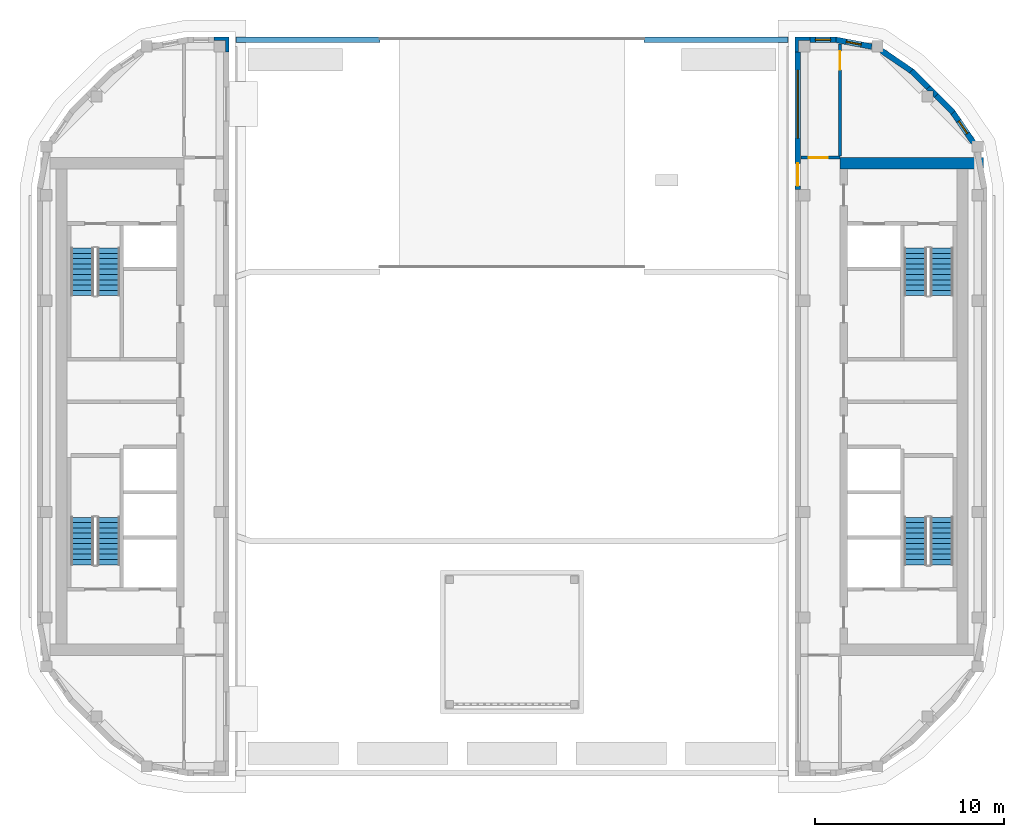
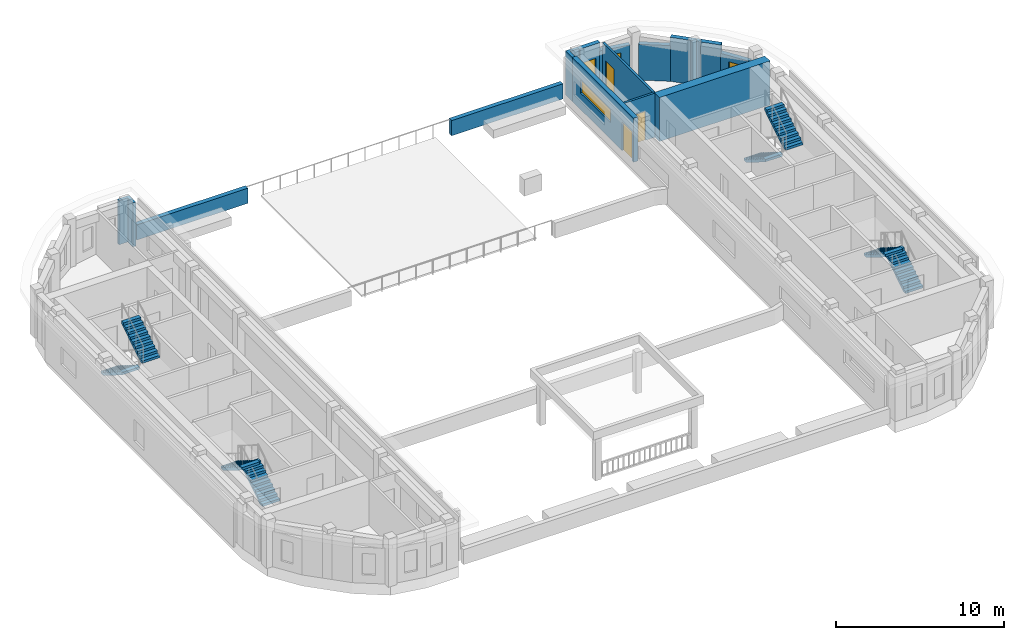
# One storey, part 5 of 14: 15 walls, 8 stair flights, 4 windows, 3 doors, 7 openings, 4 elements without a shape of their own.
"""IFC4 building model written with IfcOpenShell, lengths in metres."""

from ifc_helpers import new_model, si_unit, direction, frame, frame_2d, origin, place, context, subcontext, project, spatial, polyline, rectangle, outline, extrude, material, layer, layer_set, type_object, element, fill, aggregate, save


model = new_model("IFC4")

# Units and contexts
model_context = context("Model", 3, precision=1e-05, world=origin(), true_north=direction((0.0, 1.0)))
body_context = subcontext(model_context, "Body", "Model", "MODEL_VIEW")
ifc_project = project(units=[si_unit("LENGTHUNIT", "METRE"), si_unit("AREAUNIT", "SQUARE_METRE"), si_unit("VOLUMEUNIT", "CUBIC_METRE"), si_unit("PLANEANGLEUNIT", "RADIAN"), si_unit("MASSUNIT", "GRAM", prefix="KILO")], contexts=[model_context])

# Site, building, storey
site_placement = place(None, origin())
site = spatial("IfcSite", under=ifc_project, at=site_placement, CompositionType="ELEMENT")
building_placement = place(site_placement, origin())
building = spatial("IfcBuilding", under=site, at=building_placement, Name="Kiln Ring Residences", CompositionType="ELEMENT")
storey_placement = place(building_placement, frame((0.0, 0.0, 299.89990234375)))
storey = spatial("IfcBuildingStorey", under=building, at=storey_placement, Name="L77 Crown", CompositionType="ELEMENT", Elevation=299.89990234375)

# Wall
ifc_material_1 = material(Name="Concrete C60/75", Category="concrete")
ifc_layer_1 = layer(ifc_material_1, 0.60009765625)
ifc_layer_set_1 = layer_set([ifc_layer_1], Name="CORE-WALL-RC600")
wall_type_1 = type_object("IfcWallType", Name="CORE-WALL-RC600", PredefinedType="SHEAR", material=ifc_layer_set_1)
wall_1_placement = place(storey_placement, frame((17.39990234375, 12.89990234375, 0.0), z_axis=(0.0, 0.0, 1.0), x_axis=(1.0, 0.0, 0.0)))
element("IfcWall", 1, at=wall_1_placement, inside=storey, type_object=wall_type_1, Name="Core wall east L77 Crown 4", PredefinedType="SHEAR", context=body_context, shape_type="SweptSolid", body=[
    extrude(rectangle(XDim=7.60009765625, YDim=0.60009765625, at=frame_2d((3.800048828125, 0.0))), origin(), (0.0, 0.0, 1.0), 3.2001953125),
])

# Wall, openings, door, window
ifc_material_2 = material(Name="Brick masonry, dark clay brick", Category="masonry")
ifc_layer_2 = layer(ifc_material_2, 0.300048828125)
ifc_layer_set_2 = layer_set([ifc_layer_2], Name="EW-300 BRICK WALL")
wall_type_2 = type_object("IfcWallType", Name="EW-300 BRICK WALL", PredefinedType="SOLIDWALL", material=ifc_layer_set_2)
wall_2_placement = place(storey_placement, frame((15.14990234375, 18.800048828125, 0.0), z_axis=(0.0, 0.0, 1.0), x_axis=(0.0, -1.0, 0.0)))
wall_2 = element("IfcWall", 2, at=wall_2_placement, inside=storey, type_object=wall_type_2, Name="Facade wall L77 Crown 23", PredefinedType="SOLIDWALL", context=body_context, shape_type="SweptSolid", body=[
    extrude(rectangle(XDim=7.300048828125, YDim=0.300048828125, at=frame_2d((3.64990234375, 0.0))), origin(), (0.0, 0.0, 1.0), 3.2001953125),
])
opening_1_placement = place(wall_2_placement, frame((5.89990234375, 0.0, 0.0)))
opening_1 = element("IfcOpeningElement", 3, at=opening_1_placement, cuts=wall_2, Name="Opening RD-E", PredefinedType="OPENING", context=body_context, shape_type="SweptSolid", body=[
    extrude(rectangle(XDim=1.199951171875, YDim=2.10009765625, at=frame_2d((0.60009765625, 1.050048828125))), frame((0.0, 0.159912109375, 0.0), z_axis=(0.0, -1.0, 0.0), x_axis=(1.0, 0.0, 0.0)), (0.0, 0.0, 1.0), 0.320068359375),
])
opening_2_placement = place(wall_2_placement, frame((0.96240234375, 0.0, 1.199951171875)))
opening_2 = element("IfcOpeningElement", 4, at=opening_2_placement, cuts=wall_2, Name="Opening W4", PredefinedType="OPENING", context=body_context, shape_type="SweptSolid", body=[
    extrude(rectangle(XDim=3.60009765625, YDim=0.949951171875, at=frame_2d((1.800048828125, 0.47509765625))), frame((0.0, 0.159912109375, 0.0), z_axis=(0.0, -1.0, 0.0), x_axis=(1.0, 0.0, 0.0)), (0.0, 0.0, 1.0), 0.320068359375),
])
ifc_material_3 = material(Name="Steel door leaf", Category="steel")
door_type_1 = type_object("IfcDoorType", Name="ROOF ACCESS DOOR 1200", OperationType="SINGLE_SWING_LEFT", PredefinedType="DOOR", material=ifc_material_3)
door_1_placement = place(opening_1_placement, origin())
door_1 = element("IfcDoor", 5, at=door_1_placement, inside=storey, type_object=door_type_1, Name="Roof door east peak", OperationType="SINGLE_SWING_LEFT", OverallHeight=2.10009765625, OverallWidth=1.199951171875, PredefinedType="DOOR", context=body_context, shape_type="SweptSolid", body=[
    extrude(rectangle(XDim=1.199951171875, YDim=2.10009765625, at=frame_2d((0.60009765625, 1.050048828125))), frame((0.0, 0.02490234375, 0.0), z_axis=(0.0, -1.0, 0.0), x_axis=(1.0, 0.0, 0.0)), (0.0, 0.0, 1.0), 0.050048828125),
])
fill(opening_1, door_1)
ifc_material_4 = material(Name="Aluminium frame with double glazing", Category="aluminium")
window_type_1 = type_object("IfcWindowType", Name="WINDOW 3600 x 950", PartitioningType="SINGLE_PANEL", PredefinedType="WINDOW", material=ifc_material_4)
window_1_placement = place(opening_2_placement, origin())
window_1 = element("IfcWindow", 6, at=window_1_placement, inside=storey, type_object=window_type_1, Name="Window L77 Crown 11", OverallHeight=0.949951171875, OverallWidth=3.60009765625, PartitioningType="SINGLE_PANEL", PredefinedType="WINDOW", context=body_context, shape_type="SweptSolid", body=[
    extrude(rectangle(XDim=3.60009765625, YDim=0.949951171875, at=frame_2d((1.800048828125, 0.47509765625))), frame((0.0, 0.030029296875, 0.0), z_axis=(0.0, -1.0, 0.0), x_axis=(1.0, 0.0, 0.0)), (0.0, 0.0, 1.0), 0.06005859375),
])
fill(opening_2, window_1)

# Wall, opening, window
wall_3_placement = place(storey_placement, frame((24.4736328125, 14.001708984375, 0.0), z_axis=(0.0, 0.0, 1.0), x_axis=(-0.562025435703, 0.827119948752, 0.0)))
wall_3 = element("IfcWall", 7, at=wall_3_placement, inside=storey, type_object=wall_type_2, Name="Facade wall L77 Crown 39", PredefinedType="SOLIDWALL", context=body_context, shape_type="SweptSolid", body=[
    extrude(rectangle(XDim=1.94775390625, YDim=0.300048828125, at=frame_2d((0.973876953125, 0.0))), origin(), (0.0, 0.0, 1.0), 2.60009765625),
])
opening_3_placement = place(wall_3_placement, frame((0.573974609375, 0.0, 0.60009765625)))
opening_3 = element("IfcOpeningElement", 8, at=opening_3_placement, cuts=wall_3, Name="Opening W5", PredefinedType="OPENING", context=body_context, shape_type="SweptSolid", body=[
    extrude(rectangle(XDim=0.800048828125, YDim=1.550048828125, at=frame_2d((0.39990234375, 0.77490234375))), frame((0.0, 0.159912109375, 0.0), z_axis=(0.0, -1.0, 0.0), x_axis=(1.0, 0.0, 0.0)), (0.0, 0.0, 1.0), 0.320068359375),
])
ifc_material_5 = material(Name="Aluminium frame with double glazing", Category="aluminium")
window_type_2 = type_object("IfcWindowType", Name="WINDOW 800 x 1550", PartitioningType="SINGLE_PANEL", PredefinedType="WINDOW", material=ifc_material_5)
window_2_placement = place(opening_3_placement, origin())
window_2 = element("IfcWindow", 9, at=window_2_placement, inside=storey, type_object=window_type_2, Name="Window L77 Crown 17", OverallHeight=1.550048828125, OverallWidth=0.800048828125, PartitioningType="SINGLE_PANEL", PredefinedType="WINDOW", context=body_context, shape_type="SweptSolid", body=[
    extrude(rectangle(XDim=0.800048828125, YDim=1.550048828125, at=frame_2d((0.39990234375, 0.77490234375))), frame((0.0, 0.030029296875, 0.0), z_axis=(0.0, -1.0, 0.0), x_axis=(1.0, 0.0, 0.0)), (0.0, 0.0, 1.0), 0.06005859375),
])
fill(opening_3, window_2)

# Walls
for number, where, z_axis, x_axis, name in (
    (10, (23.39697265625, 15.591064453125, 0.0), (0.0, 0.0, 1.0), (-0.707203678312, 0.707009870781, 0.0), "Facade wall L77 Crown 40"),
    (11, (22.081787109375, 16.906005859375, 0.0), (0.0, 0.0, 1.0), (-0.707106781187, 0.707106781187, 0.0), "Facade wall L77 Crown 41"),
):
    element("IfcWall", number, at=place(storey_placement, frame(where, z_axis=z_axis, x_axis=x_axis)), inside=storey, type_object=wall_type_2, Name=name, PredefinedType="SOLIDWALL", context=body_context, shape_type="SweptSolid", body=[
        extrude(rectangle(XDim=1.259765625, YDim=0.300048828125, at=frame_2d((0.6298828125, 0.0))), origin(), (0.0, 0.0, 1.0), 3.2001953125),
    ])
wall_4_placement = place(storey_placement, frame((21.212646484375, 17.77880859375, 0.0), z_axis=(0.0, 0.0, 1.0), x_axis=(-0.827022075481, 0.562169446579, 0.0)))
element("IfcWall", 12, at=wall_4_placement, inside=storey, type_object=wall_type_2, Name="Facade wall L77 Crown 42", PredefinedType="SOLIDWALL", context=body_context, shape_type="SweptSolid", body=[
    extrude(rectangle(XDim=1.94775390625, YDim=0.300048828125, at=frame_2d((0.973876953125, 0.0))), origin(), (0.0, 0.0, 1.0), 2.60009765625),
])

# Wall, opening, window
wall_5_placement = place(storey_placement, frame((19.085205078125, 19.087646484375, 0.0), z_axis=(0.0, 0.0, 1.0), x_axis=(-0.982286967073, 0.187382801553, 0.0)))
wall_5 = element("IfcWall", 13, at=wall_5_placement, inside=storey, type_object=wall_type_2, Name="Facade wall L77 Crown 43", PredefinedType="SOLIDWALL", context=body_context, shape_type="SweptSolid", body=[
    extrude(rectangle(XDim=1.94775390625, YDim=0.300048828125, at=frame_2d((0.973876953125, 0.0))), origin(), (0.0, 0.0, 1.0), 2.60009765625),
])
opening_4_placement = place(wall_5_placement, frame((0.573974609375, 0.0, 0.60009765625)))
opening_4 = element("IfcOpeningElement", 14, at=opening_4_placement, cuts=wall_5, Name="Opening W5", PredefinedType="OPENING", context=body_context, shape_type="SweptSolid", body=[
    extrude(rectangle(XDim=0.800048828125, YDim=1.550048828125, at=frame_2d((0.39990234375, 0.77490234375))), frame((0.0, 0.159912109375, 0.0), z_axis=(0.0, -1.0, 0.0), x_axis=(1.0, 0.0, 0.0)), (0.0, 0.0, 1.0), 0.320068359375),
])
window_3_placement = place(opening_4_placement, origin())
window_3 = element("IfcWindow", 15, at=window_3_placement, inside=storey, type_object=window_type_2, Name="Window L77 Crown 18", OverallHeight=1.550048828125, OverallWidth=0.800048828125, PartitioningType="SINGLE_PANEL", PredefinedType="WINDOW", context=body_context, shape_type="SweptSolid", body=[
    extrude(rectangle(XDim=0.800048828125, YDim=1.550048828125, at=frame_2d((0.39990234375, 0.77490234375))), frame((0.0, 0.030029296875, 0.0), z_axis=(0.0, -1.0, 0.0), x_axis=(1.0, 0.0, 0.0)), (0.0, 0.0, 1.0), 0.06005859375),
])
fill(opening_4, window_3)

wall_6_placement = place(storey_placement, frame((17.199951171875, 19.449951171875, 0.0), z_axis=(0.0, 0.0, 1.0), x_axis=(-1.0, 0.0, 0.0)))
wall_6 = element("IfcWall", 16, at=wall_6_placement, inside=storey, type_object=wall_type_2, Name="Facade wall L77 Crown 44", PredefinedType="SOLIDWALL", context=body_context, shape_type="SweptSolid", body=[
    extrude(rectangle(XDim=1.39990234375, YDim=0.300048828125, at=frame_2d((0.699951171875, 0.0))), origin(), (0.0, 0.0, 1.0), 3.2001953125),
])
opening_5_placement = place(wall_6_placement, frame((0.300048828125, 0.0, 0.60009765625)))
opening_5 = element("IfcOpeningElement", 17, at=opening_5_placement, cuts=wall_6, Name="Opening W5", PredefinedType="OPENING", context=body_context, shape_type="SweptSolid", body=[
    extrude(rectangle(XDim=0.800048828125, YDim=1.550048828125, at=frame_2d((0.39990234375, 0.77490234375))), frame((0.0, 0.159912109375, 0.0), z_axis=(0.0, -1.0, 0.0), x_axis=(1.0, 0.0, 0.0)), (0.0, 0.0, 1.0), 0.320068359375),
])
window_4_placement = place(opening_5_placement, origin())
window_4 = element("IfcWindow", 18, at=window_4_placement, inside=storey, type_object=window_type_2, Name="Window L77 Crown 19", OverallHeight=1.550048828125, OverallWidth=0.800048828125, PartitioningType="SINGLE_PANEL", PredefinedType="WINDOW", context=body_context, shape_type="SweptSolid", body=[
    extrude(rectangle(XDim=0.800048828125, YDim=1.550048828125, at=frame_2d((0.39990234375, 0.77490234375))), frame((0.0, 0.030029296875, 0.0), z_axis=(0.0, -1.0, 0.0), x_axis=(1.0, 0.0, 0.0)), (0.0, 0.0, 1.0), 0.06005859375),
])
fill(opening_5, window_4)

# Walls
placement = place(storey_placement, origin())
element("IfcWall", 19, at=placement, inside=storey, type_object=wall_type_2, Name="Corner wall L77 Crown 6", PredefinedType="SOLIDWALL", context=body_context, shape_type="SweptSolid", body=[
    extrude(outline(polyline([(-15.0, 18.800048828125), (-15.0, 19.60009765625), (-15.800048828125, 19.60009765625), (-15.800048828125, 19.39990234375), (-15.199951171875, 19.39990234375), (-15.199951171875, 18.800048828125), (-15.0, 18.800048828125)])), origin(), (0.0, 0.0, 1.0), 3.2001953125),
])
element("IfcWall", 20, at=placement, inside=storey, type_object=wall_type_2, Name="Corner wall L77 Crown 13", PredefinedType="SOLIDWALL", context=body_context, shape_type="SweptSolid", body=[
    extrude(outline(polyline([(22.39990234375, 16.375732421875), (22.612060546875, 16.587890625), (22.18798828125, 17.01220703125), (21.9755859375, 16.800048828125), (22.029296875, 16.746337890625), (22.346435546875, 16.746337890625), (22.346435546875, 16.42919921875), (22.39990234375, 16.375732421875)])), origin(), (0.0, 0.0, 1.0), 3.2001953125),
])
element("IfcWall", 21, at=placement, inside=storey, type_object=wall_type_2, Name="Corner wall L77 Crown 24", PredefinedType="SOLIDWALL", context=body_context, shape_type="SweptSolid", body=[
    extrude(outline(polyline([(15.800048828125, 19.60009765625), (15.0, 19.60009765625), (15.0, 18.800048828125), (15.199951171875, 18.800048828125), (15.199951171875, 19.39990234375), (15.800048828125, 19.39990234375), (15.800048828125, 19.60009765625)])), origin(), (0.0, 0.0, 1.0), 3.2001953125),
])
ifc_material_6 = material(Name="Brick masonry, dark clay brick", Category="masonry")
ifc_layer_3 = layer(ifc_material_6, 0.300048828125)
ifc_layer_set_3 = layer_set([ifc_layer_3], Name="PARAPET 300 BRICK")
wall_type_3 = type_object("IfcWallType", Name="PARAPET 300 BRICK", PredefinedType="PARAPET", material=ifc_layer_set_3)
element("IfcWall", 22, at=placement, inside=storey, type_object=wall_type_3, Name="PARAPET north arm roof", PredefinedType="PARAPET", context=body_context, shape_type="SweptSolid", body=[
    extrude(outline(polyline([(-7.0, 19.60009765625), (-14.64990234375, 19.60009765625), (-14.64990234375, 19.300048828125), (-7.0, 19.300048828125), (-7.0, 19.60009765625)])), origin(), (0.0, 0.0, 1.0), 1.10009765625),
])
element("IfcWall", 23, at=placement, inside=storey, type_object=wall_type_3, Name="PARAPET north arm roof", PredefinedType="PARAPET", context=body_context, shape_type="SweptSolid", body=[
    extrude(outline(polyline([(14.64990234375, 19.60009765625), (7.0, 19.60009765625), (7.0, 19.300048828125), (14.64990234375, 19.300048828125), (14.64990234375, 19.60009765625)])), origin(), (0.0, 0.0, 1.0), 1.10009765625),
])

# Wall, opening, door
ifc_material_7 = material(Name="Brick masonry partition", Category="masonry")
ifc_layer_4 = layer(ifc_material_7, 0.14990234375)
ifc_layer_set_4 = layer_set([ifc_layer_4], Name="PARTITION-150-ei60")
wall_type_4 = type_object("IfcWallType", Name="PARTITION-150-ei60", PredefinedType="PARTITIONING", material=ifc_layer_set_4)
wall_12_placement = place(storey_placement, frame((15.320068359375, 13.199951171875, 0.0), z_axis=(0.0, 0.0, 1.0), x_axis=(1.0, 0.0, 0.0)))
wall_12 = element("IfcWall", 24, at=wall_12_placement, inside=storey, type_object=wall_type_4, Name="Partition 003", PredefinedType="PARTITIONING", context=body_context, shape_type="SweptSolid", body=[
    extrude(rectangle(XDim=2.0849609375, YDim=0.14990234375, at=frame_2d((1.04248046875, 0.0))), origin(), (0.0, 0.0, 1.0), 3.2001953125),
])
opening_6_placement = place(wall_12_placement, frame((0.429931640625, 0.0, 0.0)))
opening_6 = element("IfcOpeningElement", 25, at=opening_6_placement, cuts=wall_12, Name="Opening L77-D005", PredefinedType="OPENING", context=body_context, shape_type="SweptSolid", body=[
    extrude(rectangle(XDim=1.0, YDim=2.10009765625, at=frame_2d((0.5, 1.050048828125))), frame((0.0, 0.0849609375, 0.0), z_axis=(0.0, -1.0, 0.0), x_axis=(1.0, 0.0, 0.0)), (0.0, 0.0, 1.0), 0.169921875),
])
ifc_material_8 = material(Name="Steel faced fire door leaf", Category="steel")
door_type_2 = type_object("IfcDoorType", Name="FLAT-DOOR-1000-FR", OperationType="SINGLE_SWING_LEFT", PredefinedType="DOOR", material=ifc_material_8)
door_2_placement = place(opening_6_placement, origin())
door_2 = element("IfcDoor", 26, at=door_2_placement, inside=storey, type_object=door_type_2, Name="Door L77-D005", OperationType="SINGLE_SWING_RIGHT", OverallHeight=2.10009765625, OverallWidth=1.0, PredefinedType="DOOR", context=body_context, shape_type="SweptSolid", body=[
    extrude(rectangle(XDim=1.0, YDim=2.10009765625, at=frame_2d((0.5, 1.050048828125))), frame((0.0, 0.02490234375, 0.0), z_axis=(0.0, -1.0, 0.0), x_axis=(1.0, 0.0, 0.0)), (0.0, 0.0, 1.0), 0.050048828125),
])
fill(opening_6, door_2)

wall_13_placement = place(storey_placement, frame((17.39990234375, 13.27490234375, 0.0), z_axis=(0.0, 0.0, 1.0), x_axis=(0.0, 1.0, 0.0)))
wall_13 = element("IfcWall", 27, at=wall_13_placement, inside=storey, type_object=wall_type_4, Name="Partition 007", PredefinedType="PARTITIONING", context=body_context, shape_type="SweptSolid", body=[
    extrude(rectangle(XDim=5.96142578125, YDim=0.14990234375, at=frame_2d((2.980712890625, 0.0))), origin(), (0.0, 0.0, 1.0), 3.2001953125),
])
opening_7_placement = place(wall_13_placement, frame((4.574951171875, 0.0, 0.0)))
opening_7 = element("IfcOpeningElement", 28, at=opening_7_placement, cuts=wall_13, Name="Opening L77-D006", PredefinedType="OPENING", context=body_context, shape_type="SweptSolid", body=[
    extrude(rectangle(XDim=1.0, YDim=2.10009765625, at=frame_2d((0.5, 1.050048828125))), frame((0.0, 0.0849609375, 0.0), z_axis=(0.0, -1.0, 0.0), x_axis=(1.0, 0.0, 0.0)), (0.0, 0.0, 1.0), 0.169921875),
])
door_3_placement = place(opening_7_placement, origin())
door_3 = element("IfcDoor", 29, at=door_3_placement, inside=storey, type_object=door_type_2, Name="Door L77-D006", OperationType="SINGLE_SWING_RIGHT", OverallHeight=2.10009765625, OverallWidth=1.0, PredefinedType="DOOR", context=body_context, shape_type="SweptSolid", body=[
    extrude(rectangle(XDim=1.0, YDim=2.10009765625, at=frame_2d((0.5, 1.050048828125))), frame((0.0, 0.02490234375, 0.0), z_axis=(0.0, -1.0, 0.0), x_axis=(1.0, 0.0, 0.0)), (0.0, 0.0, 1.0), 0.050048828125),
])
fill(opening_7, door_3)

# Stair, stair flights
ifc_material_9 = material(Name="Concrete C40/50", Category="concrete")
stair_type = type_object("IfcStairType", Name="CORE-STAIR", PredefinedType="HALF_TURN_STAIR", material=ifc_material_9)
stair_1 = element("IfcStair", 30, at=placement, inside=storey, type_object=stair_type, Name="L77 Crown stair W-STN", PredefinedType="HALF_TURN_STAIR")
ifc_material_10 = material(Name="Concrete C40/50", Category="concrete")
stair_flight_type = type_object("IfcStairFlightType", Name="CORE-STAIR-FLIGHT", PredefinedType="STRAIGHT", material=ifc_material_10)
stair_flight_1_placement = place(storey_placement, frame((-22.800048828125, 8.39990234375, 0.0), z_axis=(0.0, 0.0, 1.0), x_axis=(0.0, -1.0, 0.0)))
stair_flight_1 = element("IfcStairFlight", 31, at=stair_flight_1_placement, type_object=stair_flight_type, Name="W-STN flight 1", NumberOfRisers=10, NumberOfTreads=9, PredefinedType="STRAIGHT", RiserHeight=0.175, TreadLength=0.28, context=body_context, shape_type="SweptSolid", body=[
    extrude(outline(polyline([(0.0, 0.0), (0.0, 0.175048828125), (0.280029296875, 0.175048828125), (0.280029296875, 0.35009765625), (0.56005859375, 0.35009765625), (0.56005859375, 0.52490234375), (0.840087890625, 0.52490234375), (0.840087890625, 0.699951171875), (1.1201171875, 0.699951171875), (1.1201171875, 0.875), (1.39990234375, 0.875), (1.39990234375, 1.050048828125), (1.679931640625, 1.050048828125), (1.679931640625, 1.22509765625), (1.9599609375, 1.22509765625), (1.9599609375, 1.39990234375), (2.239990234375, 1.39990234375), (2.239990234375, 1.574951171875), (2.52001953125, 1.574951171875), (2.52001953125, 1.75), (2.52001953125, 1.398193359375), (0.28271484375, 0.0), (0.0, 0.0)])), frame((0.0, 0.60009765625, 0.0), z_axis=(0.0, -1.0, 0.0), x_axis=(1.0, 0.0, 0.0)), (0.0, 0.0, 1.0), 1.199951171875),
])
stair_flight_2_placement = place(storey_placement, frame((-21.39990234375, 5.8798828125, 1.75), z_axis=(0.0, 0.0, 1.0), x_axis=(0.0, 1.0, 0.0)))
stair_flight_2 = element("IfcStairFlight", 32, at=stair_flight_2_placement, type_object=stair_flight_type, Name="W-STN flight 2", NumberOfRisers=10, NumberOfTreads=9, PredefinedType="STRAIGHT", RiserHeight=0.175, TreadLength=0.28, context=body_context, shape_type="SweptSolid", body=[
    extrude(outline(polyline([(0.0, 0.0), (0.0, 0.175048828125), (0.280029296875, 0.175048828125), (0.280029296875, 0.35009765625), (0.56005859375, 0.35009765625), (0.56005859375, 0.52490234375), (0.840087890625, 0.52490234375), (0.840087890625, 0.699951171875), (1.1201171875, 0.699951171875), (1.1201171875, 0.875), (1.39990234375, 0.875), (1.39990234375, 1.050048828125), (1.679931640625, 1.050048828125), (1.679931640625, 1.22509765625), (1.9599609375, 1.22509765625), (1.9599609375, 1.39990234375), (2.239990234375, 1.39990234375), (2.239990234375, 1.574951171875), (2.52001953125, 1.574951171875), (2.52001953125, 1.75), (2.52001953125, 1.398193359375), (0.28271484375, 0.0), (0.0, 0.0)])), frame((0.0, 0.60009765625, 0.0), z_axis=(0.0, -1.0, 0.0), x_axis=(1.0, 0.0, 0.0)), (0.0, 0.0, 1.0), 1.199951171875),
])
aggregate(stair_1, [stair_flight_1, stair_flight_2])

stair_2 = element("IfcStair", 33, at=placement, inside=storey, type_object=stair_type, Name="L77 Crown stair W-STS", PredefinedType="HALF_TURN_STAIR")
stair_flight_3_placement = place(storey_placement, frame((-21.39990234375, -8.39990234375, 0.0), z_axis=(0.0, 0.0, 1.0), x_axis=(0.0, 1.0, 0.0)))
stair_flight_3 = element("IfcStairFlight", 34, at=stair_flight_3_placement, type_object=stair_flight_type, Name="W-STS flight 1", NumberOfRisers=10, NumberOfTreads=9, PredefinedType="STRAIGHT", RiserHeight=0.175, TreadLength=0.28, context=body_context, shape_type="SweptSolid", body=[
    extrude(outline(polyline([(0.0, 0.0), (0.0, 0.175048828125), (0.280029296875, 0.175048828125), (0.280029296875, 0.35009765625), (0.56005859375, 0.35009765625), (0.56005859375, 0.52490234375), (0.840087890625, 0.52490234375), (0.840087890625, 0.699951171875), (1.1201171875, 0.699951171875), (1.1201171875, 0.875), (1.39990234375, 0.875), (1.39990234375, 1.050048828125), (1.679931640625, 1.050048828125), (1.679931640625, 1.22509765625), (1.9599609375, 1.22509765625), (1.9599609375, 1.39990234375), (2.239990234375, 1.39990234375), (2.239990234375, 1.574951171875), (2.52001953125, 1.574951171875), (2.52001953125, 1.75), (2.52001953125, 1.398193359375), (0.28271484375, 0.0), (0.0, 0.0)])), frame((0.0, 0.60009765625, 0.0), z_axis=(0.0, -1.0, 0.0), x_axis=(1.0, 0.0, 0.0)), (0.0, 0.0, 1.0), 1.199951171875),
])
stair_flight_4_placement = place(storey_placement, frame((-22.800048828125, -5.8798828125, 1.75), z_axis=(0.0, 0.0, 1.0), x_axis=(0.0, -1.0, 0.0)))
stair_flight_4 = element("IfcStairFlight", 35, at=stair_flight_4_placement, type_object=stair_flight_type, Name="W-STS flight 2", NumberOfRisers=10, NumberOfTreads=9, PredefinedType="STRAIGHT", RiserHeight=0.175, TreadLength=0.28, context=body_context, shape_type="SweptSolid", body=[
    extrude(outline(polyline([(0.0, 0.0), (0.0, 0.175048828125), (0.280029296875, 0.175048828125), (0.280029296875, 0.35009765625), (0.56005859375, 0.35009765625), (0.56005859375, 0.52490234375), (0.840087890625, 0.52490234375), (0.840087890625, 0.699951171875), (1.1201171875, 0.699951171875), (1.1201171875, 0.875), (1.39990234375, 0.875), (1.39990234375, 1.050048828125), (1.679931640625, 1.050048828125), (1.679931640625, 1.22509765625), (1.9599609375, 1.22509765625), (1.9599609375, 1.39990234375), (2.239990234375, 1.39990234375), (2.239990234375, 1.574951171875), (2.52001953125, 1.574951171875), (2.52001953125, 1.75), (2.52001953125, 1.398193359375), (0.28271484375, 0.0), (0.0, 0.0)])), frame((0.0, 0.60009765625, 0.0), z_axis=(0.0, -1.0, 0.0), x_axis=(1.0, 0.0, 0.0)), (0.0, 0.0, 1.0), 1.199951171875),
])
aggregate(stair_2, [stair_flight_3, stair_flight_4])

stair_3 = element("IfcStair", 36, at=placement, inside=storey, type_object=stair_type, Name="L77 Crown stair E-STN", PredefinedType="HALF_TURN_STAIR")
stair_flight_5_placement = place(storey_placement, frame((21.39990234375, 8.39990234375, 0.0), z_axis=(0.0, 0.0, 1.0), x_axis=(0.0, -1.0, 0.0)))
stair_flight_5 = element("IfcStairFlight", 37, at=stair_flight_5_placement, type_object=stair_flight_type, Name="E-STN flight 1", NumberOfRisers=10, NumberOfTreads=9, PredefinedType="STRAIGHT", RiserHeight=0.175, TreadLength=0.28, context=body_context, shape_type="SweptSolid", body=[
    extrude(outline(polyline([(0.0, 0.0), (0.0, 0.175048828125), (0.280029296875, 0.175048828125), (0.280029296875, 0.35009765625), (0.56005859375, 0.35009765625), (0.56005859375, 0.52490234375), (0.840087890625, 0.52490234375), (0.840087890625, 0.699951171875), (1.1201171875, 0.699951171875), (1.1201171875, 0.875), (1.39990234375, 0.875), (1.39990234375, 1.050048828125), (1.679931640625, 1.050048828125), (1.679931640625, 1.22509765625), (1.9599609375, 1.22509765625), (1.9599609375, 1.39990234375), (2.239990234375, 1.39990234375), (2.239990234375, 1.574951171875), (2.52001953125, 1.574951171875), (2.52001953125, 1.75), (2.52001953125, 1.398193359375), (0.28271484375, 0.0), (0.0, 0.0)])), frame((0.0, 0.60009765625, 0.0), z_axis=(0.0, -1.0, 0.0), x_axis=(1.0, 0.0, 0.0)), (0.0, 0.0, 1.0), 1.199951171875),
])
stair_flight_6_placement = place(storey_placement, frame((22.800048828125, 5.8798828125, 1.75), z_axis=(0.0, 0.0, 1.0), x_axis=(0.0, 1.0, 0.0)))
stair_flight_6 = element("IfcStairFlight", 38, at=stair_flight_6_placement, type_object=stair_flight_type, Name="E-STN flight 2", NumberOfRisers=10, NumberOfTreads=9, PredefinedType="STRAIGHT", RiserHeight=0.175, TreadLength=0.28, context=body_context, shape_type="SweptSolid", body=[
    extrude(outline(polyline([(0.0, 0.0), (0.0, 0.175048828125), (0.280029296875, 0.175048828125), (0.280029296875, 0.35009765625), (0.56005859375, 0.35009765625), (0.56005859375, 0.52490234375), (0.840087890625, 0.52490234375), (0.840087890625, 0.699951171875), (1.1201171875, 0.699951171875), (1.1201171875, 0.875), (1.39990234375, 0.875), (1.39990234375, 1.050048828125), (1.679931640625, 1.050048828125), (1.679931640625, 1.22509765625), (1.9599609375, 1.22509765625), (1.9599609375, 1.39990234375), (2.239990234375, 1.39990234375), (2.239990234375, 1.574951171875), (2.52001953125, 1.574951171875), (2.52001953125, 1.75), (2.52001953125, 1.398193359375), (0.28271484375, 0.0), (0.0, 0.0)])), frame((0.0, 0.60009765625, 0.0), z_axis=(0.0, -1.0, 0.0), x_axis=(1.0, 0.0, 0.0)), (0.0, 0.0, 1.0), 1.199951171875),
])
aggregate(stair_3, [stair_flight_5, stair_flight_6])

stair_4 = element("IfcStair", 39, at=placement, inside=storey, type_object=stair_type, Name="L77 Crown stair E-STS", PredefinedType="HALF_TURN_STAIR")
stair_flight_7_placement = place(storey_placement, frame((22.800048828125, -8.39990234375, 0.0), z_axis=(0.0, 0.0, 1.0), x_axis=(0.0, 1.0, 0.0)))
stair_flight_7 = element("IfcStairFlight", 40, at=stair_flight_7_placement, type_object=stair_flight_type, Name="E-STS flight 1", NumberOfRisers=10, NumberOfTreads=9, PredefinedType="STRAIGHT", RiserHeight=0.175, TreadLength=0.28, context=body_context, shape_type="SweptSolid", body=[
    extrude(outline(polyline([(0.0, 0.0), (0.0, 0.175048828125), (0.280029296875, 0.175048828125), (0.280029296875, 0.35009765625), (0.56005859375, 0.35009765625), (0.56005859375, 0.52490234375), (0.840087890625, 0.52490234375), (0.840087890625, 0.699951171875), (1.1201171875, 0.699951171875), (1.1201171875, 0.875), (1.39990234375, 0.875), (1.39990234375, 1.050048828125), (1.679931640625, 1.050048828125), (1.679931640625, 1.22509765625), (1.9599609375, 1.22509765625), (1.9599609375, 1.39990234375), (2.239990234375, 1.39990234375), (2.239990234375, 1.574951171875), (2.52001953125, 1.574951171875), (2.52001953125, 1.75), (2.52001953125, 1.398193359375), (0.28271484375, 0.0), (0.0, 0.0)])), frame((0.0, 0.60009765625, 0.0), z_axis=(0.0, -1.0, 0.0), x_axis=(1.0, 0.0, 0.0)), (0.0, 0.0, 1.0), 1.199951171875),
])
stair_flight_8_placement = place(storey_placement, frame((21.39990234375, -5.8798828125, 1.75), z_axis=(0.0, 0.0, 1.0), x_axis=(0.0, -1.0, 0.0)))
stair_flight_8 = element("IfcStairFlight", 41, at=stair_flight_8_placement, type_object=stair_flight_type, Name="E-STS flight 2", NumberOfRisers=10, NumberOfTreads=9, PredefinedType="STRAIGHT", RiserHeight=0.175, TreadLength=0.28, context=body_context, shape_type="SweptSolid", body=[
    extrude(outline(polyline([(0.0, 0.0), (0.0, 0.175048828125), (0.280029296875, 0.175048828125), (0.280029296875, 0.35009765625), (0.56005859375, 0.35009765625), (0.56005859375, 0.52490234375), (0.840087890625, 0.52490234375), (0.840087890625, 0.699951171875), (1.1201171875, 0.699951171875), (1.1201171875, 0.875), (1.39990234375, 0.875), (1.39990234375, 1.050048828125), (1.679931640625, 1.050048828125), (1.679931640625, 1.22509765625), (1.9599609375, 1.22509765625), (1.9599609375, 1.39990234375), (2.239990234375, 1.39990234375), (2.239990234375, 1.574951171875), (2.52001953125, 1.574951171875), (2.52001953125, 1.75), (2.52001953125, 1.398193359375), (0.28271484375, 0.0), (0.0, 0.0)])), frame((0.0, 0.60009765625, 0.0), z_axis=(0.0, -1.0, 0.0), x_axis=(1.0, 0.0, 0.0)), (0.0, 0.0, 1.0), 1.199951171875),
])
aggregate(stair_4, [stair_flight_7, stair_flight_8])

save(model, "model.ifc")
